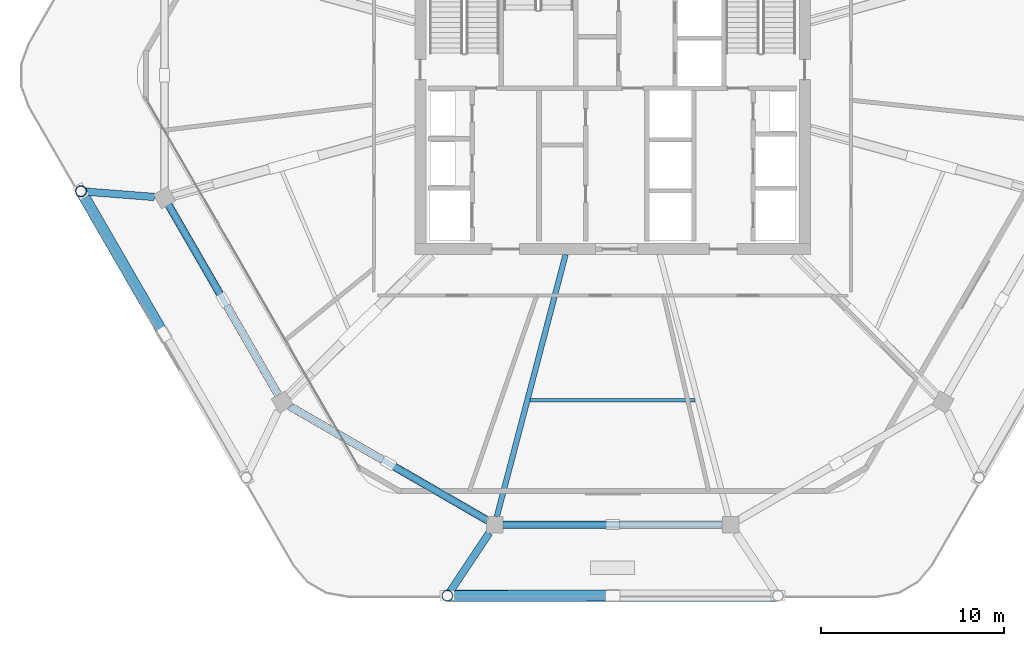
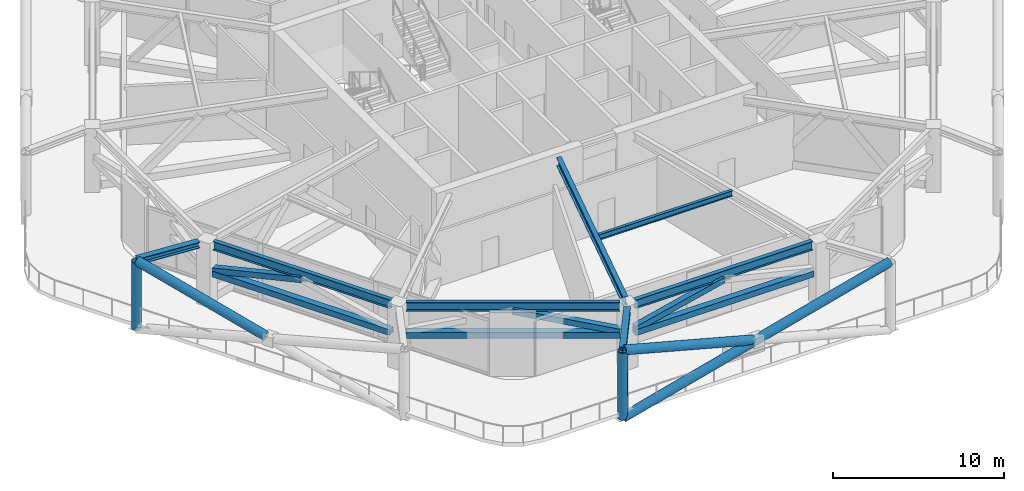
# One storey, part 3 of 20: 11 members, 7 beams.
"""IFC4 building model written with IfcOpenShell, lengths in metres."""

from ifc_helpers import new_model, si_unit, direction, frame, origin, origin_2d, place, context, subcontext, project, spatial, hollow_rectangle, hollow_circle, i_section, extrude, material, material_profile, profile_set, type_object, element, save


model = new_model("IFC4")

# Units and contexts
model_context = context("Model", 3, precision=1e-05, world=origin(), true_north=direction((0.0, 1.0)))
body_context = subcontext(model_context, "Body", "Model", "MODEL_VIEW")
ifc_project = project(units=[si_unit("LENGTHUNIT", "METRE"), si_unit("AREAUNIT", "SQUARE_METRE"), si_unit("VOLUMEUNIT", "CUBIC_METRE"), si_unit("PLANEANGLEUNIT", "RADIAN"), si_unit("MASSUNIT", "GRAM", prefix="KILO")], contexts=[model_context])

# Site, building, storey
site_placement = place(None, origin())
site = spatial("IfcSite", under=ifc_project, at=site_placement, CompositionType="ELEMENT")
building_placement = place(site_placement, origin())
building = spatial("IfcBuilding", under=site, at=building_placement, Name="Zuhravey Tower", CompositionType="ELEMENT")
storey_placement = place(building_placement, frame((0.0, 0.0, 226.39990234375)))
storey = spatial("IfcBuildingStorey", under=building, at=storey_placement, Name="L57", CompositionType="ELEMENT", Elevation=226.39990234375)

# Members
ifc_material_1 = material(Name="Steel SM355", Category="steel")
ifc_material_profile_1 = material_profile(ifc_material_1, hollow_rectangle(XDim=0.419921875, YDim=0.419921875, WallThickness=0.028076171875, at=origin_2d()), Name="RHS-420x420x28")
ifc_profile_set_1 = profile_set([ifc_material_profile_1], Name="Steel SM355")
member_type_1 = type_object("IfcMemberType", Name="Belt Truss Chord RHS420x420", PredefinedType="CHORD", material=ifc_profile_set_1)
member_1_placement = place(storey_placement, frame((11.742919921875, 24.906982421875, 2.27001953125), z_axis=(0.500019018537, -0.866014423149, 0.0), x_axis=(0.866014423149, 0.500019018537, 0.0)))
element("IfcMember", 1, at=member_1_placement, inside=storey, type_object=member_type_1, Name="L57 Belt Truss Bottom Chord BTC1-06", PredefinedType="CHORD", context=body_context, shape_type="SweptSolid", body=[
    extrude(hollow_rectangle(XDim=0.419921875, YDim=0.419921875, WallThickness=0.028076171875, at=origin_2d()), origin(), (0.0, 0.0, 1.0), 11.9716796875),
])
member_2_placement = place(storey_placement, frame((18.350341796875, 13.917724609375, 2.27001953125), z_axis=(0.866024429177, -0.500001688065, 0.0), x_axis=(0.500001688065, 0.866024429177, 0.0)))
element("IfcMember", 2, at=member_2_placement, inside=storey, type_object=member_type_1, Name="L57 Belt Truss Bottom Chord BTC1-07", PredefinedType="CHORD", context=body_context, shape_type="SweptSolid", body=[
    extrude(hollow_rectangle(XDim=0.419921875, YDim=0.419921875, WallThickness=0.028076171875, at=origin_2d()), origin(), (0.0, 0.0, 1.0), 12.48779296875),
])
member_3_placement = place(storey_placement, frame((30.01416015625, 7.4462890625, 2.27001953125), z_axis=(1.0, 0.0, 0.0), x_axis=(0.0, 1.0, 0.0)))
element("IfcMember", 3, at=member_3_placement, inside=storey, type_object=member_type_1, Name="L57 Belt Truss Bottom Chord BTC1-08", PredefinedType="CHORD", context=body_context, shape_type="SweptSolid", body=[
    extrude(hollow_rectangle(XDim=0.419921875, YDim=0.419921875, WallThickness=0.028076171875, at=origin_2d()), origin(), (0.0, 0.0, 1.0), 11.9716796875),
])
ifc_material_profile_2 = material_profile(ifc_material_1, hollow_rectangle(XDim=0.39990234375, YDim=0.39990234375, WallThickness=0.02490234375, at=origin_2d()), Name="RHS-400x400x25")
ifc_profile_set_2 = profile_set([ifc_material_profile_2], Name="Steel SM355")
member_type_2 = type_object("IfcMemberType", Name="Belt Truss Diagonal RHS400x400", PredefinedType="BRACE", material=ifc_profile_set_2)
member_4_placement = place(storey_placement, frame((11.750244140625, 24.89453125, 2.49365234375), z_axis=(0.486107701976, -0.842017249437, 0.233893680399), x_axis=(0.866039291593, 0.499975944838, 0.0)))
element("IfcMember", 4, at=member_4_placement, inside=storey, type_object=member_type_2, Name="L57 Belt Truss Diagonal BTD1-06.1", PredefinedType="BRACE", context=body_context, shape_type="SweptSolid", body=[
    extrude(hollow_rectangle(XDim=0.39990234375, YDim=0.39990234375, WallThickness=0.02490234375, at=origin_2d()), origin(), (0.0, 0.0, 1.0), 6.11669921875),
])
member_5_placement = place(storey_placement, frame((29.15234375, 7.68115234375, 2.493408203125), z_axis=(-0.843861073225, 0.487223376581, 0.224748460302), x_axis=(-0.50001536203, -0.866016534331, 0.0)))
element("IfcMember", 5, at=member_5_placement, inside=storey, type_object=member_type_2, Name="L57 Belt Truss Diagonal BTD1-07.2", PredefinedType="BRACE", context=body_context, shape_type="SweptSolid", body=[
    extrude(hollow_rectangle(XDim=0.39990234375, YDim=0.39990234375, WallThickness=0.02490234375, at=origin_2d()), origin(), (0.0, 0.0, 1.0), 6.36767578125),
])
member_6_placement = place(storey_placement, frame((30.028564453125, 7.4462890625, 2.49365234375), z_axis=(0.972261804388, 0.0, 0.233895240926), x_axis=(0.0, 1.0, 0.0)))
element("IfcMember", 6, at=member_6_placement, inside=storey, type_object=member_type_2, Name="L57 Belt Truss Diagonal BTD1-08.1", PredefinedType="BRACE", context=body_context, shape_type="SweptSolid", body=[
    extrude(hollow_rectangle(XDim=0.39990234375, YDim=0.39990234375, WallThickness=0.02490234375, at=origin_2d()), origin(), (0.0, 0.0, 1.0), 6.11669921875),
])

# Beams
ifc_material_2 = material(Name="Steel SM460", Category="steel")
ifc_material_profile_3 = material_profile(ifc_material_2, i_section(OverallWidth=0.406982421875, OverallDepth=0.427978515625, WebThickness=0.02001953125, FlangeThickness=0.034912109375, at=origin_2d()), Name="H-428x407x20x35")
ifc_profile_set_3 = profile_set([ifc_material_profile_3], Name="Steel SM460")
beam_type_1 = type_object("IfcBeamType", Name="Exoskeleton Node Tie Beam H428x407", PredefinedType="BEAM", material=ifc_profile_set_3)
beam_1_placement = place(storey_placement, frame((10.96728515625, 25.343994140625, 4.336181640625), z_axis=(-0.996960589137, 0.077907533055, 0.0), x_axis=(-0.077907533055, -0.996960589137, 0.0)))
element("IfcBeam", 7, at=beam_1_placement, inside=storey, type_object=beam_type_1, Name="L57 Exoskeleton Node Tie NT1-07", PredefinedType="BEAM", context=body_context, shape_type="SweptSolid", body=[
    extrude(i_section(OverallWidth=0.406982421875, OverallDepth=0.427978515625, WebThickness=0.02001953125, FlangeThickness=0.034912109375, at=origin_2d()), origin(), (0.0, 0.0, 1.0), 4.008056640625),
])
beam_2_placement = place(storey_placement, frame((29.257568359375, 6.9931640625, 4.336181640625), z_axis=(-0.553932866935, -0.832561336437, 0.0), x_axis=(0.832561336437, -0.553932866935, 0.0)))
element("IfcBeam", 8, at=beam_2_placement, inside=storey, type_object=beam_type_1, Name="L57 Exoskeleton Node Tie NT1-09", PredefinedType="BEAM", context=body_context, shape_type="SweptSolid", body=[
    extrude(i_section(OverallWidth=0.406982421875, OverallDepth=0.427978515625, WebThickness=0.02001953125, FlangeThickness=0.034912109375, at=origin_2d()), origin(), (0.0, 0.0, 1.0), 4.113037109375),
])

# Members
ifc_material_profile_4 = material_profile(ifc_material_1, hollow_circle(Radius=0.3046875, WallThickness=0.028076171875, at=origin_2d()), Name="CHS-609.6x28")
ifc_profile_set_4 = profile_set([ifc_material_profile_4], Name="Steel SM355")
member_type_3 = type_object("IfcMemberType", Name="Exoskeleton Zone 3 Diagrid CHS610x28", PredefinedType="BRACE", material=ifc_profile_set_4)
member_7_placement = place(storey_placement, frame((6.95654296875, 25.657470703125, -0.475830078125), z_axis=(0.0, 0.0, 1.0), x_axis=(1.0, 0.0, 0.0)))
element("IfcMember", 9, at=member_7_placement, inside=storey, type_object=member_type_3, Name="L57 Face 4 Diagrid Brace 1", PredefinedType="BRACE", context=body_context, shape_type="SweptSolid", body=[
    extrude(hollow_circle(Radius=0.3046875, WallThickness=0.028076171875, at=origin_2d()), origin(), (0.0, 0.0, 1.0), 4.7939453125),
])
member_8_placement = place(storey_placement, frame((11.32861328125, 18.0849609375, 1.997314453125), z_axis=(-0.483014876435, 0.836621191338, 0.258382683914), x_axis=(-0.866029255696, -0.499993328235, 0.0)))
element("IfcMember", 10, at=member_8_placement, inside=storey, type_object=member_type_3, Name="L57 Face 4 Split Diagrid Brace 3B", PredefinedType="BRACE", context=body_context, shape_type="SweptSolid", body=[
    extrude(hollow_circle(Radius=0.3046875, WallThickness=0.028076171875, at=origin_2d()), origin(), (0.0, 0.0, 1.0), 8.991455078125),
])
member_9_placement = place(storey_placement, frame((26.970947265625, 3.5712890625, -0.475830078125), z_axis=(0.0, -0.00310652402, 0.999995174743), x_axis=(1.0, 0.0, 0.0)))
element("IfcMember", 11, at=member_9_placement, inside=storey, type_object=member_type_3, Name="L57 Face 5 Diagrid Brace 1", PredefinedType="BRACE", context=body_context, shape_type="SweptSolid", body=[
    extrude(hollow_circle(Radius=0.3046875, WallThickness=0.028076171875, at=origin_2d()), origin(), (0.0, 0.0, 1.0), 4.7939453125),
])
member_10_placement = place(storey_placement, frame((27.029052734375, 3.5712890625, -0.478515625), z_axis=(0.966039082891, -0.000801855818, 0.258394751019), x_axis=(0.000830044618, 0.999999655513, 0.0)))
element("IfcMember", 12, at=member_10_placement, inside=storey, type_object=member_type_3, Name="L57 Face 5 Diagrid Brace 2", PredefinedType="BRACE", context=body_context, shape_type="SweptSolid", body=[
    extrude(hollow_circle(Radius=0.3046875, WallThickness=0.028076171875, at=origin_2d()), origin(), (0.0, 0.0, 1.0), 18.57275390625),
])
member_11_placement = place(storey_placement, frame((35.715087890625, 3.563720703125, 1.997314453125), z_axis=(-0.966041462181, -0.000814583278, 0.258385815788), x_axis=(0.000843217419, -0.999999644492, 0.0)))
element("IfcMember", 13, at=member_11_placement, inside=storey, type_object=member_type_3, Name="L57 Face 5 Split Diagrid Brace 3B", PredefinedType="BRACE", context=body_context, shape_type="SweptSolid", body=[
    extrude(hollow_circle(Radius=0.3046875, WallThickness=0.028076171875, at=origin_2d()), origin(), (0.0, 0.0, 1.0), 8.991455078125),
])

# Beams
ifc_material_profile_5 = material_profile(ifc_material_1, i_section(OverallWidth=0.280029296875, OverallDepth=0.6201171875, WebThickness=0.011962890625, FlangeThickness=0.02001953125, at=origin_2d()), Name="H-620x280x12x20")
ifc_profile_set_5 = profile_set([ifc_material_profile_5], Name="Steel SM355")
beam_type_2 = type_object("IfcBeamType", Name="Perimeter Ring Beam H620x280", PredefinedType="BEAM", material=ifc_profile_set_5)
beam_3_placement = place(storey_placement, frame((11.741943359375, 24.90869140625, 4.239990234375), z_axis=(0.500017744717, -0.866015158625, 0.0), x_axis=(0.866015158625, 0.500017744717, 0.0)))
element("IfcBeam", 14, at=beam_3_placement, inside=storey, type_object=beam_type_2, Name="L57 PB3 BM-L57-PB-07", PredefinedType="BEAM", context=body_context, shape_type="SweptSolid", body=[
    extrude(i_section(OverallWidth=0.280029296875, OverallDepth=0.6201171875, WebThickness=0.011962890625, FlangeThickness=0.02001953125, at=origin_2d()), origin(), (0.0, 0.0, 1.0), 11.9755859375),
])
beam_4_placement = place(storey_placement, frame((18.3486328125, 13.918701171875, 4.239990234375), z_axis=(0.866025131093, -0.500000472315, 0.0), x_axis=(0.500000472315, 0.866025131093, 0.0)))
element("IfcBeam", 15, at=beam_4_placement, inside=storey, type_object=beam_type_2, Name="L57 PB3 BM-L57-PB-08", PredefinedType="BEAM", context=body_context, shape_type="SweptSolid", body=[
    extrude(i_section(OverallWidth=0.280029296875, OverallDepth=0.6201171875, WebThickness=0.011962890625, FlangeThickness=0.02001953125, at=origin_2d()), origin(), (0.0, 0.0, 1.0), 12.49169921875),
])
beam_5_placement = place(storey_placement, frame((30.01220703125, 7.4462890625, 4.239990234375), z_axis=(1.0, 0.0, 0.0), x_axis=(0.0, 1.0, 0.0)))
element("IfcBeam", 16, at=beam_5_placement, inside=storey, type_object=beam_type_2, Name="L57 PB3 BM-L57-PB-09", PredefinedType="BEAM", context=body_context, shape_type="SweptSolid", body=[
    extrude(i_section(OverallWidth=0.280029296875, OverallDepth=0.6201171875, WebThickness=0.011962890625, FlangeThickness=0.02001953125, at=origin_2d()), origin(), (0.0, 0.0, 1.0), 11.9755859375),
])
ifc_material_profile_6 = material_profile(ifc_material_1, i_section(OverallWidth=0.300048828125, OverallDepth=0.60009765625, WebThickness=0.011962890625, FlangeThickness=0.02001953125, at=origin_2d()), Name="H-600x300x12x20")
ifc_profile_set_6 = profile_set([ifc_material_profile_6], Name="Steel SM355")
beam_type_3 = type_object("IfcBeamType", Name="Radial Primary Girder H600x300", PredefinedType="BEAM", material=ifc_profile_set_6)
beam_6_placement = place(storey_placement, frame((33.428466796875, 22.197021484375, 4.25), z_axis=(-0.253731415841, -0.967274712073, 0.0), x_axis=(0.967274712073, -0.253731415841, 0.0)))
element("IfcBeam", 17, at=beam_6_placement, inside=storey, type_object=beam_type_3, Name="L57 RG3 BM-L57-RAD-09", PredefinedType="BEAM", context=body_context, shape_type="SweptSolid", body=[
    extrude(i_section(OverallWidth=0.300048828125, OverallDepth=0.60009765625, WebThickness=0.011962890625, FlangeThickness=0.02001953125, at=origin_2d()), origin(), (0.0, 0.0, 1.0), 14.796630859375),
])
ifc_material_profile_7 = material_profile(ifc_material_1, i_section(OverallWidth=0.199951171875, OverallDepth=0.39990234375, WebThickness=0.008056640625, FlangeThickness=0.012939453125, at=origin_2d()), Name="H-400x200x8x13")
ifc_profile_set_7 = profile_set([ifc_material_profile_7], Name="Steel SM355")
beam_type_4 = type_object("IfcBeamType", Name="Secondary Floor Joist H400x200", PredefinedType="JOIST", material=ifc_profile_set_7)
beam_7_placement = place(storey_placement, frame((31.492919921875, 14.231689453125, 4.35009765625), z_axis=(1.0, 0.0, 0.0), x_axis=(0.0, 1.0, 0.0)))
element("IfcBeam", 18, at=beam_7_placement, inside=storey, type_object=beam_type_4, Name="L57 SJ2 BM-L57-SJ-09-1", PredefinedType="JOIST", context=body_context, shape_type="SweptSolid", body=[
    extrude(i_section(OverallWidth=0.199951171875, OverallDepth=0.39990234375, WebThickness=0.008056640625, FlangeThickness=0.012939453125, at=origin_2d()), origin(), (0.0, 0.0, 1.0), 9.01416015625),
])

save(model, "model.ifc")
